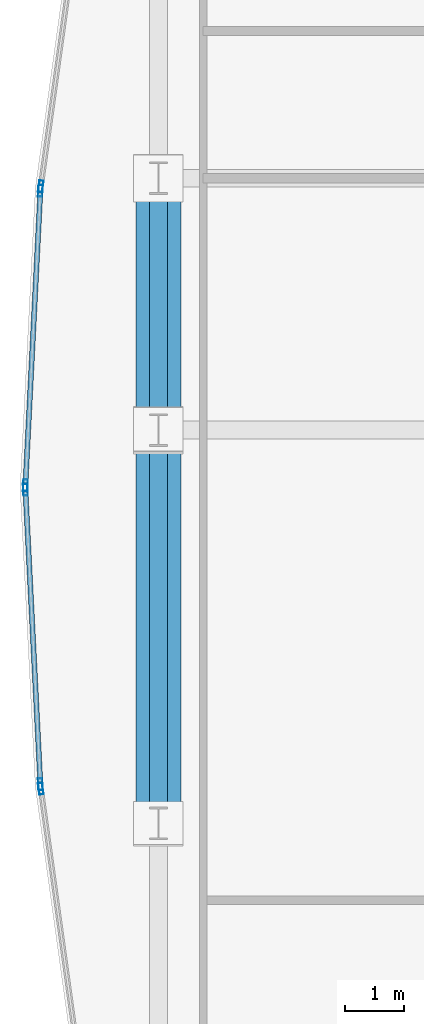
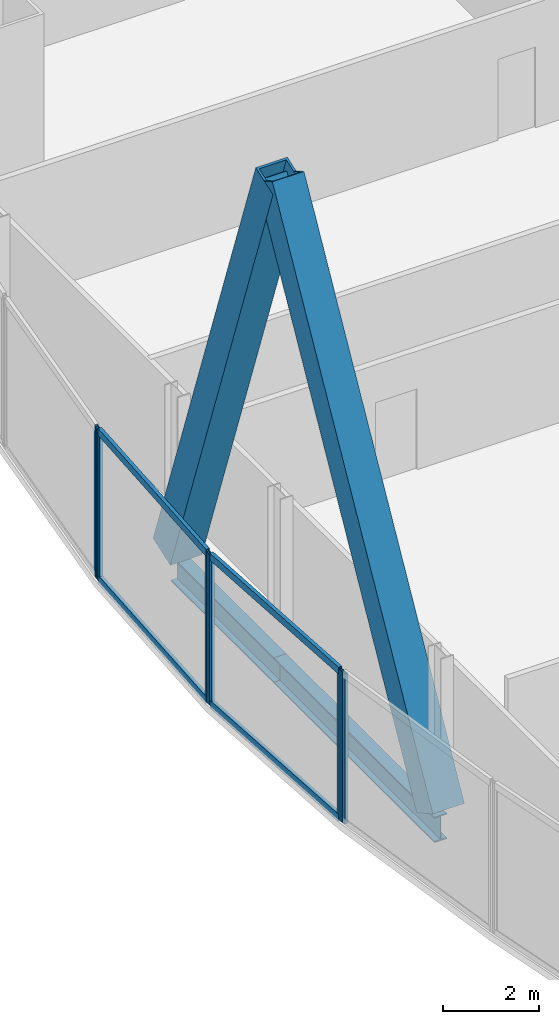
# One storey, part 10 of 37: 12 members, 2 beams, 4 elements without a shape of their own.
"""IFC4 building model written with IfcOpenShell, lengths in metres."""

from ifc_helpers import new_model, si_unit, direction, frame, origin, origin_2d, place, context, subcontext, project, spatial, hollow_rectangle, i_section, extrude, material, material_profile, profile_set, type_object, element, aggregate, save


model = new_model("IFC4")

# Units and contexts
model_context = context("Model", 3, precision=1e-05, world=origin(), true_north=direction((0.0, 1.0)))
body_context = subcontext(model_context, "Body", "Model", "MODEL_VIEW")
ifc_project = project(units=[si_unit("LENGTHUNIT", "METRE"), si_unit("AREAUNIT", "SQUARE_METRE"), si_unit("VOLUMEUNIT", "CUBIC_METRE"), si_unit("PLANEANGLEUNIT", "RADIAN"), si_unit("MASSUNIT", "GRAM", prefix="KILO")], contexts=[model_context])

# Site, building, storey
site_placement = place(None, origin())
site = spatial("IfcSite", under=ifc_project, at=site_placement, CompositionType="ELEMENT")
building_placement = place(site_placement, origin())
building = spatial("IfcBuilding", under=site, at=building_placement, Name="Khoronbel Lancet Exchange", CompositionType="ELEMENT")
storey_placement = place(building_placement, frame((0.0, 0.0, 61.800048828125)))
storey = spatial("IfcBuildingStorey", under=building, at=storey_placement, Name="L14", CompositionType="ELEMENT", Elevation=61.800048828125)

# Beams
ifc_material_1 = material(Name="Steel S355", Category="steel")
ifc_material_profile_1 = material_profile(ifc_material_1, i_section(OverallWidth=0.300048828125, OverallDepth=0.64990234375, WebThickness=0.01611328125, FlangeThickness=0.031005859375, at=origin_2d()), Name="HEB 650")
ifc_profile_set_1 = profile_set([ifc_material_profile_1], Name="Steel S355")
beam_type = type_object("IfcBeamType", Name="BM-BSP1", PredefinedType="SPANDREL", material=ifc_profile_set_1)
beam_1_placement = place(storey_placement, frame((1.27001953125, 35.699951171875, -0.505126953125), z_axis=(0.0, -1.0, 0.0), x_axis=(1.0, 0.0, 0.0)))
element("IfcBeam", 1, at=beam_1_placement, inside=storey, type_object=beam_type, Name="Level L14 perimeter spandrel beam SP18", PredefinedType="SPANDREL", context=body_context, shape_type="SweptSolid", body=[
    extrude(i_section(OverallWidth=0.300048828125, OverallDepth=0.64990234375, WebThickness=0.01611328125, FlangeThickness=0.031005859375, at=origin_2d()), origin(), (0.0, 0.0, 1.0), 4.27490234375),
])
beam_2_placement = place(storey_placement, frame((1.27001953125, 31.425048828125, -0.505126953125), z_axis=(0.0, -1.0, 0.0), x_axis=(1.0, 0.0, 0.0)))
element("IfcBeam", 2, at=beam_2_placement, inside=storey, type_object=beam_type, Name="Level L14 perimeter spandrel beam SP19", PredefinedType="SPANDREL", context=body_context, shape_type="SweptSolid", body=[
    extrude(i_section(OverallWidth=0.300048828125, OverallDepth=0.64990234375, WebThickness=0.01611328125, FlangeThickness=0.031005859375, at=origin_2d()), origin(), (0.0, 0.0, 1.0), 6.675048828125),
])

# Curtain wall, member
ifc_material_2 = material(Name="Low-E Solar Control Insulating Glass", Category="glass")
curtain_wall_type = type_object("IfcCurtainWallType", Name="CW-4", PredefinedType="NOTDEFINED", material=ifc_material_2)
curtain_wall_1_placement = place(storey_placement, origin())
curtain_wall_1 = element("IfcCurtainWall", 3, at=curtain_wall_1_placement, inside=storey, type_object=curtain_wall_type, Name="Unitised curtain wall CW-L14-E05", PredefinedType="NOTDEFINED")
ifc_material_3 = material(Name="Bronze-Anodised Aluminium 6063-T6", Category="aluminium")
ifc_material_profile_2 = material_profile(ifc_material_3, hollow_rectangle(XDim=0.074951171875, YDim=0.199951171875, WallThickness=0.0048828125, at=origin_2d()), Name="ALU MULLION 75x200")
ifc_profile_set_2 = profile_set([ifc_material_profile_2], Name="Bronze-Anodised Aluminium 6063-T6")
member_type_1 = type_object("IfcMemberType", Name="MEM-CWM2", PredefinedType="MULLION", material=ifc_profile_set_2)
member_1_placement = place(storey_placement, frame((-0.72705078125, 25.338134765625, 0.0), z_axis=(0.0, 0.0, 1.0), x_axis=(-0.9904784605, -0.137667785939, 0.0)))
member_1 = element("IfcMember", 4, at=member_1_placement, type_object=member_type_1, Name="CW4 mullion 2", PredefinedType="MULLION", context=body_context, shape_type="SweptSolid", body=[
    extrude(hollow_rectangle(XDim=0.074951171875, YDim=0.199951171875, WallThickness=0.0048828125, at=origin_2d()), origin(), (0.0, 0.0, 1.0), 3.820068359375),
])
aggregate(curtain_wall_1, [member_1])

# Curtain wall, members
curtain_wall_2_placement = place(storey_placement, origin())
curtain_wall_2 = element("IfcCurtainWall", 5, at=curtain_wall_2_placement, inside=storey, type_object=curtain_wall_type, Name="Unitised curtain wall CW-L14-E06", PredefinedType="NOTDEFINED")
member_2_placement = place(storey_placement, frame((-0.73388671875, 25.41259765625, 0.0), z_axis=(0.0, 0.0, 1.0), x_axis=(-0.998708178713, -0.050813125988, 0.0)))
member_2 = element("IfcMember", 6, at=member_2_placement, type_object=member_type_1, Name="CW4 mullion 1", PredefinedType="MULLION", context=body_context, shape_type="SweptSolid", body=[
    extrude(hollow_rectangle(XDim=0.074951171875, YDim=0.199951171875, WallThickness=0.0048828125, at=origin_2d()), origin(), (0.0, 0.0, 1.0), 3.820068359375),
])
member_3_placement = place(storey_placement, frame((-0.98828125, 30.41259765625, 0.0), z_axis=(0.0, 0.0, 1.0), x_axis=(-0.998708178713, -0.050813125988, 0.0)))
member_3 = element("IfcMember", 7, at=member_3_placement, type_object=member_type_1, Name="CW4 mullion 2", PredefinedType="MULLION", context=body_context, shape_type="SweptSolid", body=[
    extrude(hollow_rectangle(XDim=0.074951171875, YDim=0.199951171875, WallThickness=0.0048828125, at=origin_2d()), origin(), (0.0, 0.0, 1.0), 3.820068359375),
])

curtain_wall_3_placement = place(storey_placement, origin())
curtain_wall_3 = element("IfcCurtainWall", 8, at=curtain_wall_3_placement, inside=storey, type_object=curtain_wall_type, Name="Unitised curtain wall CW-L14-E07", PredefinedType="NOTDEFINED")
member_4_placement = place(storey_placement, frame((-0.98828125, 30.487548828125, 0.0), z_axis=(0.0, 0.0, 1.0), x_axis=(-0.998708178713, 0.050813125988, 0.0)))
member_4 = element("IfcMember", 9, at=member_4_placement, type_object=member_type_1, Name="CW4 mullion 1", PredefinedType="MULLION", context=body_context, shape_type="SweptSolid", body=[
    extrude(hollow_rectangle(XDim=0.074951171875, YDim=0.199951171875, WallThickness=0.0048828125, at=origin_2d()), origin(), (0.0, 0.0, 1.0), 3.820068359375),
])
member_5_placement = place(storey_placement, frame((-0.73388671875, 35.4873046875, 0.0), z_axis=(0.0, 0.0, 1.0), x_axis=(-0.998708178713, 0.050813125988, 0.0)))
member_5 = element("IfcMember", 10, at=member_5_placement, type_object=member_type_1, Name="CW4 mullion 2", PredefinedType="MULLION", context=body_context, shape_type="SweptSolid", body=[
    extrude(hollow_rectangle(XDim=0.074951171875, YDim=0.199951171875, WallThickness=0.0048828125, at=origin_2d()), origin(), (0.0, 0.0, 1.0), 3.820068359375),
])

# Curtain wall, member
curtain_wall_4_placement = place(storey_placement, origin())
curtain_wall_4 = element("IfcCurtainWall", 11, at=curtain_wall_4_placement, inside=storey, type_object=curtain_wall_type, Name="Unitised curtain wall CW-L14-E08", PredefinedType="NOTDEFINED")
member_6_placement = place(storey_placement, frame((-0.72705078125, 35.56201171875, 0.0), z_axis=(0.0, 0.0, 1.0), x_axis=(-0.9904784605, 0.137667785939, 0.0)))
member_6 = element("IfcMember", 12, at=member_6_placement, type_object=member_type_1, Name="CW4 mullion 1", PredefinedType="MULLION", context=body_context, shape_type="SweptSolid", body=[
    extrude(hollow_rectangle(XDim=0.074951171875, YDim=0.199951171875, WallThickness=0.0048828125, at=origin_2d()), origin(), (0.0, 0.0, 1.0), 3.820068359375),
])
aggregate(curtain_wall_4, [member_6])

# Member
ifc_material_profile_3 = material_profile(ifc_material_3, hollow_rectangle(XDim=0.0849609375, YDim=0.179931640625, WallThickness=0.0048828125, at=origin_2d()), Name="ALU TRANSOM 85x180")
ifc_profile_set_3 = profile_set([ifc_material_profile_3], Name="Bronze-Anodised Aluminium 6063-T6")
member_type_2 = type_object("IfcMemberType", Name="MEM-CWT1", PredefinedType="USERDEFINED", material=ifc_profile_set_3)
member_7_placement = place(storey_placement, frame((-0.73583984375, 25.4501953125, 0.04248046875), z_axis=(-0.050846300096, 0.9987064903, 0.0), x_axis=(-0.9987064903, -0.050846300096, 0.0)))
member_7 = element("IfcMember", 13, at=member_7_placement, type_object=member_type_2, Name="CW4 transom 1.1", ObjectType="TRANSOM", PredefinedType="USERDEFINED", context=body_context, shape_type="SweptSolid", body=[
    extrude(hollow_rectangle(XDim=0.0849609375, YDim=0.179931640625, WallThickness=0.0048828125, at=origin_2d()), origin(), (0.0, 0.0, 1.0), 4.93115234375),
])

member_8_placement = place(storey_placement, frame((-0.73583984375, 25.4501953125, 3.77734375), z_axis=(-0.050846300096, 0.9987064903, 0.0), x_axis=(-0.9987064903, -0.050846300096, 0.0)))
member_8 = element("IfcMember", 14, at=member_8_placement, type_object=member_type_2, Name="CW4 transom 1.2", ObjectType="TRANSOM", PredefinedType="USERDEFINED", context=body_context, shape_type="SweptSolid", body=[
    extrude(hollow_rectangle(XDim=0.0849609375, YDim=0.179931640625, WallThickness=0.0048828125, at=origin_2d()), origin(), (0.0, 0.0, 1.0), 4.93115234375),
])

aggregate(curtain_wall_2, [member_2, member_3, member_7, member_8])

member_9_placement = place(storey_placement, frame((-0.986572265625, 30.52490234375, 0.04248046875), z_axis=(0.050843786099, 0.998706618289, 0.0), x_axis=(-0.998706618289, 0.050843786099, 0.0)))
member_9 = element("IfcMember", 15, at=member_9_placement, type_object=member_type_2, Name="CW4 transom 1.1", ObjectType="TRANSOM", PredefinedType="USERDEFINED", context=body_context, shape_type="SweptSolid", body=[
    extrude(hollow_rectangle(XDim=0.0849609375, YDim=0.179931640625, WallThickness=0.0048828125, at=origin_2d()), origin(), (0.0, 0.0, 1.0), 4.931396484375),
])

member_10_placement = place(storey_placement, frame((-0.986572265625, 30.52490234375, 3.77734375), z_axis=(0.050843786099, 0.998706618289, 0.0), x_axis=(-0.998706618289, 0.050843786099, 0.0)))
member_10 = element("IfcMember", 16, at=member_10_placement, type_object=member_type_2, Name="CW4 transom 1.2", ObjectType="TRANSOM", PredefinedType="USERDEFINED", context=body_context, shape_type="SweptSolid", body=[
    extrude(hollow_rectangle(XDim=0.0849609375, YDim=0.179931640625, WallThickness=0.0048828125, at=origin_2d()), origin(), (0.0, 0.0, 1.0), 4.931396484375),
])

aggregate(curtain_wall_3, [member_4, member_5, member_9, member_10])

# Members
ifc_material_4 = material(Name="Steel S460", Category="steel")
ifc_material_profile_4 = material_profile(ifc_material_4, hollow_rectangle(XDim=0.760009765625, YDim=0.760009765625, WallThickness=0.054931640625, at=origin_2d()), Name="BOX 760x760x55")
ifc_profile_set_4 = profile_set([ifc_material_profile_4], Name="Steel S460")
member_type_3 = type_object("IfcMemberType", Name="MEM-MB1", PredefinedType="BRACE", material=ifc_profile_set_4)
member_11_placement = place(storey_placement, frame((1.27001953125, 24.75, 0.0), z_axis=(0.0, 0.486109322328, 0.873898007061), x_axis=(-1.0, 0.0, 0.0)))
element("IfcMember", 17, at=member_11_placement, inside=storey, type_object=member_type_3, Name="Perimeter lancet brace tier 4 W-P-L", PredefinedType="BRACE", context=body_context, shape_type="SweptSolid", body=[
    extrude(hollow_rectangle(XDim=0.760009765625, YDim=0.760009765625, WallThickness=0.054931640625, at=origin_2d()), origin(), (0.0, 0.0, 1.0), 13.731689453125),
])
member_12_placement = place(storey_placement, frame((1.27001953125, 35.699951171875, 0.0), z_axis=(0.0, -0.335583554792, 0.94201044461), x_axis=(1.0, 0.0, 0.0)))
element("IfcMember", 18, at=member_12_placement, inside=storey, type_object=member_type_3, Name="Perimeter lancet brace tier 4 W-P-R", PredefinedType="BRACE", context=body_context, shape_type="SweptSolid", body=[
    extrude(hollow_rectangle(XDim=0.760009765625, YDim=0.760009765625, WallThickness=0.054931640625, at=origin_2d()), origin(), (0.0, 0.0, 1.0), 12.73876953125),
])

save(model, "model.ifc")
